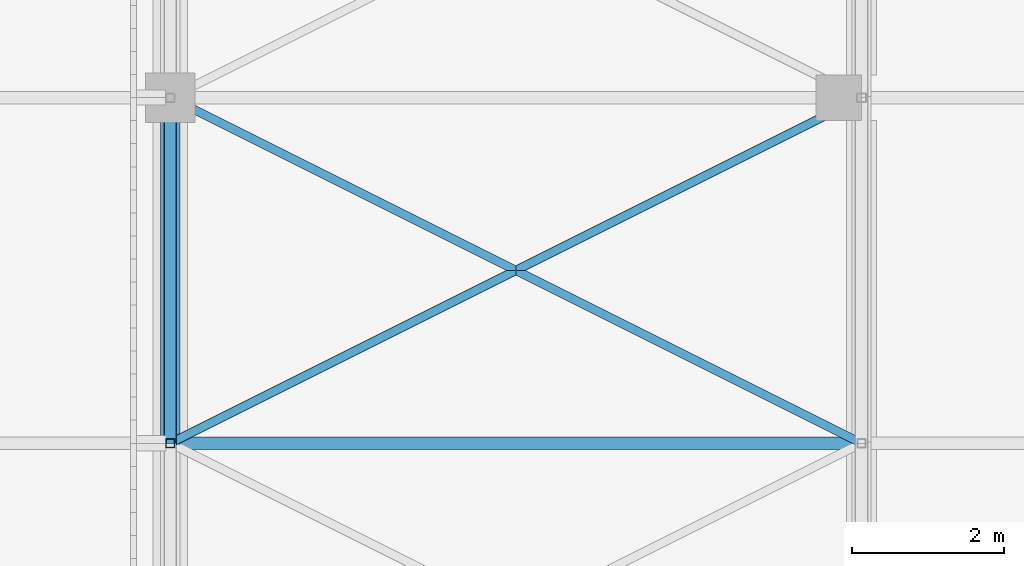
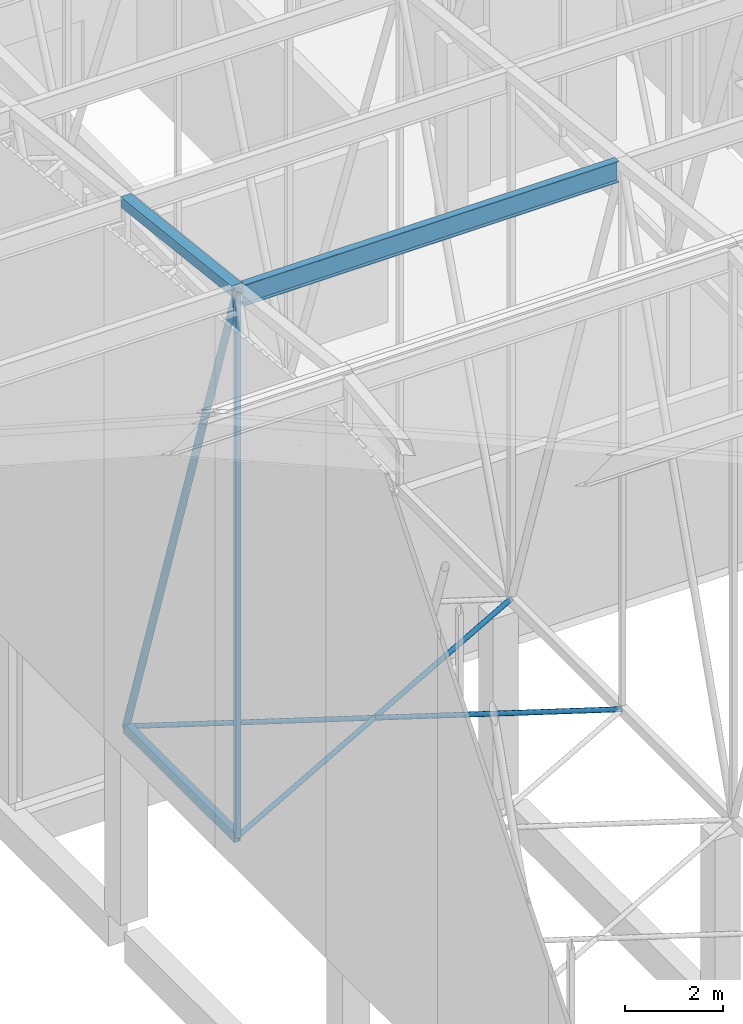
# One storey, part 168 of 500: 7 members.
"""IFC4 building model written with IfcOpenShell, lengths in metres."""

from ifc_helpers import new_model, si_unit, direction, frame, origin, origin_2d, place, context, subcontext, project, spatial, hollow_rectangle, hollow_circle, i_section, extrude, material, material_profile, profile_set, type_object, element, save


model = new_model("IFC4")

# Units and contexts
model_context = context("Model", 3, precision=1e-05, world=origin(), true_north=direction((0.0, 1.0)))
body_context = subcontext(model_context, "Body", "Model", "MODEL_VIEW")
ifc_project = project(units=[si_unit("LENGTHUNIT", "METRE"), si_unit("AREAUNIT", "SQUARE_METRE"), si_unit("VOLUMEUNIT", "CUBIC_METRE"), si_unit("PLANEANGLEUNIT", "RADIAN"), si_unit("MASSUNIT", "GRAM", prefix="KILO")], contexts=[model_context])

# Site, building, storey
site_placement = place(None, origin())
site = spatial("IfcSite", under=ifc_project, at=site_placement, CompositionType="ELEMENT")
building_placement = place(site_placement, origin())
building = spatial("IfcBuilding", under=site, at=building_placement, Name="Shirokan Park Arena", CompositionType="ELEMENT")
storey_placement = place(building_placement, frame((0.0, 0.0, 29.1201171875)))
storey = spatial("IfcBuildingStorey", under=building, at=storey_placement, Name="L06", CompositionType="ELEMENT", Elevation=29.1201171875)

# Members
ifc_material_1 = material(Name="Steel ASTM A500 Grade C", Category="steel")
ifc_material_profile_1 = material_profile(ifc_material_1, hollow_rectangle(XDim=0.152099609375, YDim=0.25390625, WallThickness=0.009521484375, at=origin_2d()), Name="HSS254X152.4X9.5")
ifc_profile_set_1 = profile_set([ifc_material_profile_1], Name="Steel ASTM A500 Grade C")
member_type_1 = type_object("IfcMemberType", Name="Bottom chord HSS254X152.4X9.5", PredefinedType="CHORD", material=ifc_profile_set_1)
member_1_placement = place(storey_placement, frame((0.0, 59.14990234375, 4.677001953125), z_axis=(0.0, 1.0, 0.0), x_axis=(-1.0, 0.0, 0.0)))
element("IfcMember", 1, at=member_1_placement, inside=storey, type_object=member_type_1, Name="Truss T01 bottom chord 16", PredefinedType="CHORD", context=body_context, shape_type="SweptSolid", body=[
    extrude(hollow_rectangle(XDim=0.152099609375, YDim=0.25390625, WallThickness=0.009521484375, at=origin_2d()), origin(), (0.0, 0.0, 1.0), 4.550048828125),
])
ifc_material_profile_2 = material_profile(ifc_material_1, hollow_circle(Radius=0.056884765625, WallThickness=0.006103515625, at=origin_2d()), Name="HSS114.3X6")
ifc_profile_set_2 = profile_set([ifc_material_profile_2], Name="Steel ASTM A500 Grade C")
member_type_2 = type_object("IfcMemberType", Name="Plan bracing HSS114.3X6", PredefinedType="BRACE", material=ifc_profile_set_2)
for number, where, z_axis, x_axis, name in (
    (2, (0.0, 59.14990234375, 4.677001953125), (0.894427191, 0.4472135955, 0.0), (-0.4472135955, 0.894427191, 0.0), "Plan bracing bay 1 panel 16 A"),
    (3, (9.10009765625, 59.14990234375, 4.677001953125), (-0.894427191, 0.4472135955, 0.0), (-0.4472135955, -0.894427191, 0.0), "Plan bracing bay 1 panel 16 B"),
):
    element("IfcMember", number, at=place(storey_placement, frame(where, z_axis=z_axis, x_axis=x_axis)), inside=storey, type_object=member_type_2, Name=name, PredefinedType="BRACE", context=body_context, shape_type="SweptSolid", body=[
        extrude(hollow_circle(Radius=0.056884765625, WallThickness=0.006103515625, at=origin_2d()), origin(), (0.0, 0.0, 1.0), 10.17431640625),
    ])
ifc_material_2 = material(Name="Steel ASTM A992", Category="steel")
ifc_material_profile_3 = material_profile(ifc_material_2, i_section(OverallWidth=0.166015625, OverallDepth=0.528076171875, WebThickness=0.009765625, FlangeThickness=0.013671875, at=origin_2d()), Name="W530X74")
ifc_profile_set_3 = profile_set([ifc_material_profile_3], Name="Steel ASTM A992")
member_type_3 = type_object("IfcMemberType", Name="Purlin W530X74", PredefinedType="PURLIN", material=ifc_profile_set_3)
member_2_placement = place(storey_placement, frame((0.126953125, 59.14990234375, 18.205810546875), z_axis=(1.0, 0.0, 0.0), x_axis=(0.0, 1.0, 0.0)))
element("IfcMember", 4, at=member_2_placement, inside=storey, type_object=member_type_3, Name="Purlin 16 bay 1", PredefinedType="PURLIN", context=body_context, shape_type="SweptSolid", body=[
    extrude(i_section(OverallWidth=0.166015625, OverallDepth=0.528076171875, WebThickness=0.009765625, FlangeThickness=0.013671875, at=origin_2d()), origin(), (0.0, 0.0, 1.0), 8.845947265625),
])
ifc_material_profile_4 = material_profile(ifc_material_1, hollow_rectangle(XDim=0.25390625, YDim=0.25390625, WallThickness=0.009521484375, at=origin_2d()), Name="HSS254X254X9.5")
ifc_profile_set_4 = profile_set([ifc_material_profile_4], Name="Steel ASTM A500 Grade C")
member_type_4 = type_object("IfcMemberType", Name="Top chord HSS254X254X9.5", PredefinedType="CHORD", material=ifc_profile_set_4)
member_3_placement = place(storey_placement, frame((0.0, 59.14990234375, 18.3427734375), z_axis=(0.0, 0.993538341779, -0.113496975353), x_axis=(-1.0, 0.0, 0.0)))
element("IfcMember", 5, at=member_3_placement, inside=storey, type_object=member_type_4, Name="Truss T01 top chord 16", PredefinedType="CHORD", context=body_context, shape_type="SweptSolid", body=[
    extrude(hollow_rectangle(XDim=0.25390625, YDim=0.25390625, WallThickness=0.009521484375, at=origin_2d()), origin(), (0.0, 0.0, 1.0), 4.57958984375),
])
ifc_material_profile_5 = material_profile(ifc_material_1, hollow_circle(Radius=0.083984375, WallThickness=0.009521484375, at=origin_2d()), Name="HSS168.3X9.5")
ifc_profile_set_5 = profile_set([ifc_material_profile_5], Name="Steel ASTM A500 Grade C")
member_type_5 = type_object("IfcMemberType", Name="Truss diagonal HSS168.3X9.5", PredefinedType="BRACE", material=ifc_profile_set_5)
member_4_placement = place(storey_placement, frame((0.0, 59.14990234375, 18.3427734375), z_axis=(0.0, 0.315902302102, -0.948791723998), x_axis=(-1.0, 0.0, 0.0)))
element("IfcMember", 6, at=member_4_placement, inside=storey, type_object=member_type_5, Name="Truss T01 diagonal 16", PredefinedType="BRACE", context=body_context, shape_type="SweptSolid", body=[
    extrude(hollow_circle(Radius=0.083984375, WallThickness=0.009521484375, at=origin_2d()), origin(), (0.0, 0.0, 1.0), 14.4033203125),
])
ifc_material_profile_6 = material_profile(ifc_material_1, hollow_rectangle(XDim=0.114013671875, YDim=0.114013671875, WallThickness=0.00634765625, at=origin_2d()), Name="HSS114.3X114.3X6.4")
ifc_profile_set_6 = profile_set([ifc_material_profile_6], Name="Steel ASTM A500 Grade C")
member_type_6 = type_object("IfcMemberType", Name="Truss post HSS114.3X114.3X6.4", PredefinedType="POST", material=ifc_profile_set_6)
member_5_placement = place(storey_placement, frame((0.0, 59.14990234375, 4.677001953125), z_axis=(0.0, 0.0, 1.0), x_axis=(1.0, 0.0, 0.0)))
element("IfcMember", 7, at=member_5_placement, inside=storey, type_object=member_type_6, Name="Truss T01 post 16", PredefinedType="POST", context=body_context, shape_type="SweptSolid", body=[
    extrude(hollow_rectangle(XDim=0.114013671875, YDim=0.114013671875, WallThickness=0.00634765625, at=origin_2d()), origin(), (0.0, 0.0, 1.0), 13.665771484375),
])

save(model, "model.ifc")
